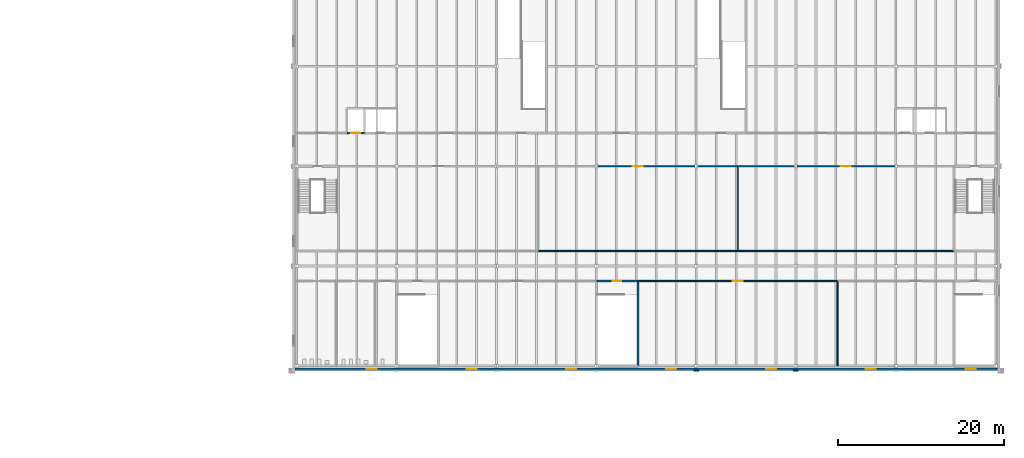
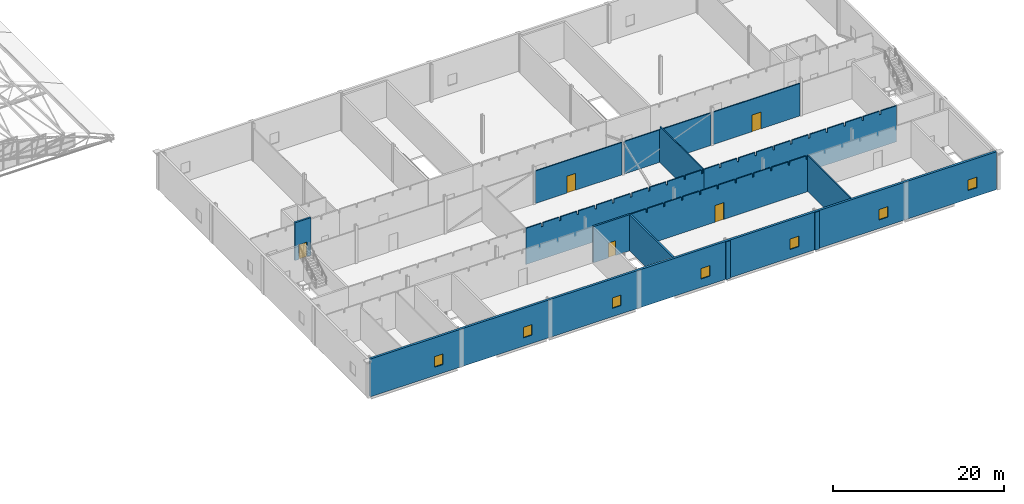
# One storey, part 257 of 321: 15 walls, 7 windows, 5 doors, 12 openings.
"""IFC4 building model written with IfcOpenShell, lengths in metres."""

from ifc_helpers import new_model, si_unit, direction, frame, frame_2d, origin, place, context, subcontext, project, spatial, polyline, rectangle, outline, extrude, material, layer, layer_set, type_object, element, fill, save


model = new_model("IFC4")

# Units and contexts
model_context = context("Model", 3, precision=1e-05, world=origin(), true_north=direction((0.0, 1.0)))
body_context = subcontext(model_context, "Body", "Model", "MODEL_VIEW")
ifc_project = project(units=[si_unit("LENGTHUNIT", "METRE"), si_unit("AREAUNIT", "SQUARE_METRE"), si_unit("VOLUMEUNIT", "CUBIC_METRE"), si_unit("PLANEANGLEUNIT", "RADIAN"), si_unit("MASSUNIT", "GRAM", prefix="KILO")], contexts=[model_context])

# Site, building, storey
site_placement = place(None, origin())
site = spatial("IfcSite", under=ifc_project, at=site_placement, CompositionType="ELEMENT")
building_placement = place(site_placement, origin())
building = spatial("IfcBuilding", under=site, at=building_placement, Name="Ravi Spectrum Wholesale Market", CompositionType="ELEMENT")
storey_placement = place(building_placement, frame((0.0, 0.0, 10.800048828125)))
storey = spatial("IfcBuildingStorey", under=building, at=storey_placement, Name="L02", CompositionType="ELEMENT", Elevation=10.800048828125)

# Wall, openings, windows
ifc_material_1 = material(Name="Brick-faced insulated panel", Category="masonry")
ifc_layer_1 = layer(ifc_material_1, 0.300048828125)
ifc_layer_set_1 = layer_set([ifc_layer_1], Name="Brick-faced insulated panel")
wall_type_1 = type_object("IfcWallType", Name="Brick faced insulated panel 300", PredefinedType="SOLIDWALL", material=ifc_layer_set_1)
wall_1_placement = place(storey_placement, frame((197.75, 17.60009765625, 0.0), z_axis=(0.0, 0.0, 1.0), x_axis=(1.0, 0.0, 0.0)))
wall_1 = element("IfcWall", 1, at=wall_1_placement, inside=storey, type_object=wall_type_1, Name="CS-WL-L02-047", PredefinedType="SOLIDWALL", context=body_context, shape_type="SweptSolid", body=[
    extrude(rectangle(XDim=84.5, YDim=0.300048828125, at=frame_2d((42.25, 0.0))), origin(), (0.0, 0.0, 1.0), 5.39990234375),
])
opening_1_placement = place(wall_1_placement, frame((8.64990234375, 0.0, 1.199951171875)))
opening_1 = element("IfcOpeningElement", 2, at=opening_1_placement, cuts=wall_1, Name="Opening W2637", PredefinedType="OPENING", context=body_context, shape_type="SweptSolid", body=[
    extrude(rectangle(XDim=1.199951171875, YDim=1.5, at=frame_2d((0.60009765625, 0.75))), frame((0.0, 0.159912109375, 0.0), z_axis=(0.0, -1.0, 0.0), x_axis=(1.0, 0.0, 0.0)), (0.0, 0.0, 1.0), 0.320068359375),
])
opening_2_placement = place(wall_1_placement, frame((20.64990234375, 0.0, 1.199951171875)))
opening_2 = element("IfcOpeningElement", 3, at=opening_2_placement, cuts=wall_1, Name="Opening W2638", PredefinedType="OPENING", context=body_context, shape_type="SweptSolid", body=[
    extrude(rectangle(XDim=1.199951171875, YDim=1.5, at=frame_2d((0.60009765625, 0.75))), frame((0.0, 0.159912109375, 0.0), z_axis=(0.0, -1.0, 0.0), x_axis=(1.0, 0.0, 0.0)), (0.0, 0.0, 1.0), 0.320068359375),
])
opening_3_placement = place(wall_1_placement, frame((32.64990234375, 0.0, 1.199951171875)))
opening_3 = element("IfcOpeningElement", 4, at=opening_3_placement, cuts=wall_1, Name="Opening W2639", PredefinedType="OPENING", context=body_context, shape_type="SweptSolid", body=[
    extrude(rectangle(XDim=1.199951171875, YDim=1.5, at=frame_2d((0.60009765625, 0.75))), frame((0.0, 0.159912109375, 0.0), z_axis=(0.0, -1.0, 0.0), x_axis=(1.0, 0.0, 0.0)), (0.0, 0.0, 1.0), 0.320068359375),
])
opening_4_placement = place(wall_1_placement, frame((44.64990234375, 0.0, 1.199951171875)))
opening_4 = element("IfcOpeningElement", 5, at=opening_4_placement, cuts=wall_1, Name="Opening W2640", PredefinedType="OPENING", context=body_context, shape_type="SweptSolid", body=[
    extrude(rectangle(XDim=1.199951171875, YDim=1.5, at=frame_2d((0.60009765625, 0.75))), frame((0.0, 0.159912109375, 0.0), z_axis=(0.0, -1.0, 0.0), x_axis=(1.0, 0.0, 0.0)), (0.0, 0.0, 1.0), 0.320068359375),
])
opening_5_placement = place(wall_1_placement, frame((56.64990234375, 0.0, 1.199951171875)))
opening_5 = element("IfcOpeningElement", 6, at=opening_5_placement, cuts=wall_1, Name="Opening W2641", PredefinedType="OPENING", context=body_context, shape_type="SweptSolid", body=[
    extrude(rectangle(XDim=1.199951171875, YDim=1.5, at=frame_2d((0.60009765625, 0.75))), frame((0.0, 0.159912109375, 0.0), z_axis=(0.0, -1.0, 0.0), x_axis=(1.0, 0.0, 0.0)), (0.0, 0.0, 1.0), 0.320068359375),
])
opening_6_placement = place(wall_1_placement, frame((68.64990234375, 0.0, 1.199951171875)))
opening_6 = element("IfcOpeningElement", 7, at=opening_6_placement, cuts=wall_1, Name="Opening W2642", PredefinedType="OPENING", context=body_context, shape_type="SweptSolid", body=[
    extrude(rectangle(XDim=1.199951171875, YDim=1.5, at=frame_2d((0.60009765625, 0.75))), frame((0.0, 0.159912109375, 0.0), z_axis=(0.0, -1.0, 0.0), x_axis=(1.0, 0.0, 0.0)), (0.0, 0.0, 1.0), 0.320068359375),
])
opening_7_placement = place(wall_1_placement, frame((80.64990234375, 0.0, 1.199951171875)))
opening_7 = element("IfcOpeningElement", 8, at=opening_7_placement, cuts=wall_1, Name="Opening W2643", PredefinedType="OPENING", context=body_context, shape_type="SweptSolid", body=[
    extrude(rectangle(XDim=1.199951171875, YDim=1.5, at=frame_2d((0.60009765625, 0.75))), frame((0.0, 0.159912109375, 0.0), z_axis=(0.0, -1.0, 0.0), x_axis=(1.0, 0.0, 0.0)), (0.0, 0.0, 1.0), 0.320068359375),
])
ifc_material_2 = material(Name="Aluminium frame", Category="aluminium")
window_type = type_object("IfcWindowType", Name="Plant room louvred window 1200 x 1500", PartitioningType="SINGLE_PANEL", PredefinedType="WINDOW", material=ifc_material_2)
window_1_placement = place(opening_1_placement, origin())
window_1 = element("IfcWindow", 9, at=window_1_placement, inside=storey, type_object=window_type, Name="Window W2637", OverallHeight=1.5, OverallWidth=1.199951171875, PartitioningType="SINGLE_PANEL", PredefinedType="WINDOW", context=body_context, shape_type="SweptSolid", body=[
    extrude(rectangle(XDim=1.199951171875, YDim=1.5, at=frame_2d((0.60009765625, 0.75))), frame((0.0, 0.030029296875, 0.0), z_axis=(0.0, -1.0, 0.0), x_axis=(1.0, 0.0, 0.0)), (0.0, 0.0, 1.0), 0.06005859375),
])
fill(opening_1, window_1)
window_2_placement = place(opening_2_placement, origin())
window_2 = element("IfcWindow", 10, at=window_2_placement, inside=storey, type_object=window_type, Name="Window W2638", OverallHeight=1.5, OverallWidth=1.199951171875, PartitioningType="SINGLE_PANEL", PredefinedType="WINDOW", context=body_context, shape_type="SweptSolid", body=[
    extrude(rectangle(XDim=1.199951171875, YDim=1.5, at=frame_2d((0.60009765625, 0.75))), frame((0.0, 0.030029296875, 0.0), z_axis=(0.0, -1.0, 0.0), x_axis=(1.0, 0.0, 0.0)), (0.0, 0.0, 1.0), 0.06005859375),
])
fill(opening_2, window_2)
window_3_placement = place(opening_3_placement, origin())
window_3 = element("IfcWindow", 11, at=window_3_placement, inside=storey, type_object=window_type, Name="Window W2639", OverallHeight=1.5, OverallWidth=1.199951171875, PartitioningType="SINGLE_PANEL", PredefinedType="WINDOW", context=body_context, shape_type="SweptSolid", body=[
    extrude(rectangle(XDim=1.199951171875, YDim=1.5, at=frame_2d((0.60009765625, 0.75))), frame((0.0, 0.030029296875, 0.0), z_axis=(0.0, -1.0, 0.0), x_axis=(1.0, 0.0, 0.0)), (0.0, 0.0, 1.0), 0.06005859375),
])
fill(opening_3, window_3)
window_4_placement = place(opening_4_placement, origin())
window_4 = element("IfcWindow", 12, at=window_4_placement, inside=storey, type_object=window_type, Name="Window W2640", OverallHeight=1.5, OverallWidth=1.199951171875, PartitioningType="SINGLE_PANEL", PredefinedType="WINDOW", context=body_context, shape_type="SweptSolid", body=[
    extrude(rectangle(XDim=1.199951171875, YDim=1.5, at=frame_2d((0.60009765625, 0.75))), frame((0.0, 0.030029296875, 0.0), z_axis=(0.0, -1.0, 0.0), x_axis=(1.0, 0.0, 0.0)), (0.0, 0.0, 1.0), 0.06005859375),
])
fill(opening_4, window_4)
window_5_placement = place(opening_5_placement, origin())
window_5 = element("IfcWindow", 13, at=window_5_placement, inside=storey, type_object=window_type, Name="Window W2641", OverallHeight=1.5, OverallWidth=1.199951171875, PartitioningType="SINGLE_PANEL", PredefinedType="WINDOW", context=body_context, shape_type="SweptSolid", body=[
    extrude(rectangle(XDim=1.199951171875, YDim=1.5, at=frame_2d((0.60009765625, 0.75))), frame((0.0, 0.030029296875, 0.0), z_axis=(0.0, -1.0, 0.0), x_axis=(1.0, 0.0, 0.0)), (0.0, 0.0, 1.0), 0.06005859375),
])
fill(opening_5, window_5)
window_6_placement = place(opening_6_placement, origin())
window_6 = element("IfcWindow", 14, at=window_6_placement, inside=storey, type_object=window_type, Name="Window W2642", OverallHeight=1.5, OverallWidth=1.199951171875, PartitioningType="SINGLE_PANEL", PredefinedType="WINDOW", context=body_context, shape_type="SweptSolid", body=[
    extrude(rectangle(XDim=1.199951171875, YDim=1.5, at=frame_2d((0.60009765625, 0.75))), frame((0.0, 0.030029296875, 0.0), z_axis=(0.0, -1.0, 0.0), x_axis=(1.0, 0.0, 0.0)), (0.0, 0.0, 1.0), 0.06005859375),
])
fill(opening_6, window_6)
window_7_placement = place(opening_7_placement, origin())
window_7 = element("IfcWindow", 15, at=window_7_placement, inside=storey, type_object=window_type, Name="Window W2643", OverallHeight=1.5, OverallWidth=1.199951171875, PartitioningType="SINGLE_PANEL", PredefinedType="WINDOW", context=body_context, shape_type="SweptSolid", body=[
    extrude(rectangle(XDim=1.199951171875, YDim=1.5, at=frame_2d((0.60009765625, 0.75))), frame((0.0, 0.030029296875, 0.0), z_axis=(0.0, -1.0, 0.0), x_axis=(1.0, 0.0, 0.0)), (0.0, 0.0, 1.0), 0.06005859375),
])
fill(opening_7, window_7)

# Walls
ifc_material_3 = material(Name="Facing brickwork", Category="masonry")
ifc_layer_2 = layer(ifc_material_3, 0.114990234375)
ifc_layer_set_2 = layer_set([ifc_layer_2], Name="Facing brickwork")
wall_type_2 = type_object("IfcWallType", Name="Brick pilaster 115", PredefinedType="SOLIDWALL", material=ifc_layer_set_2)
for number, where, z_axis, x_axis, name in (
    (16, (245.699951171875, 17.392578125, 0.0), (0.0, 0.0, 1.0), (1.0, 0.0, 0.0), "CS-WL-L02-051"),
    (17, (257.699951171875, 17.392578125, 0.0), (0.0, 0.0, 1.0), (1.0, 0.0, 0.0), "CS-WL-L02-052"),
):
    element("IfcWall", number, at=place(storey_placement, frame(where, z_axis=z_axis, x_axis=x_axis)), inside=storey, type_object=wall_type_2, Name=name, PredefinedType="SOLIDWALL", context=body_context, shape_type="SweptSolid", body=[
        extrude(rectangle(XDim=0.60009765625, YDim=0.114990234375, at=frame_2d((0.300048828125, 0.0))), origin(), (0.0, 0.0, 1.0), 5.39990234375),
    ])

# Wall, opening, door
ifc_material_4 = material(Name="Insulated panel")
ifc_layer_3 = layer(ifc_material_4, 0.14990234375)
ifc_layer_set_3 = layer_set([ifc_layer_3], Name="Insulated panel")
wall_type_3 = type_object("IfcWallType", Name="Cold store panel 150", PredefinedType="PARTITIONING", material=ifc_layer_set_3)
wall_2_placement = place(storey_placement, frame((239.0, 28.199951171875, 0.0), z_axis=(0.0, 0.0, 1.0), x_axis=(1.0, 0.0, 0.0)))
wall_2 = element("IfcWall", 18, at=wall_2_placement, inside=storey, type_object=wall_type_3, Name="CS-WL-L02-073", PredefinedType="PARTITIONING", context=body_context, shape_type="SweptSolid", body=[
    extrude(outline(polyline([(0.0, 0.0), (24.0, 0.0), (24.0, 5.14990234375), (23.905029296875, 5.14990234375), (23.89990234375, 4.6298828125), (23.699951171875, 4.6298828125), (23.695068359375, 5.14990234375), (21.5048828125, 5.14990234375), (21.5, 4.6298828125), (21.300048828125, 4.6298828125), (21.294921875, 5.14990234375), (19.10009765625, 5.14990234375), (19.094970703125, 4.679931640625), (18.905029296875, 4.679931640625), (18.89990234375, 5.14990234375), (16.705078125, 5.14990234375), (16.699951171875, 4.6298828125), (16.5, 4.6298828125), (16.4951171875, 5.14990234375), (14.304931640625, 5.14990234375), (14.300048828125, 4.6298828125), (14.10009765625, 4.6298828125), (14.094970703125, 5.14990234375), (11.905029296875, 5.14990234375), (11.89990234375, 4.6298828125), (11.699951171875, 4.6298828125), (11.695068359375, 5.14990234375), (9.5048828125, 5.14990234375), (9.5, 4.6298828125), (9.300048828125, 4.6298828125), (9.294921875, 5.14990234375), (7.10009765625, 5.14990234375), (7.094970703125, 4.679931640625), (6.905029296875, 4.679931640625), (6.89990234375, 5.14990234375), (4.705078125, 5.14990234375), (4.699951171875, 4.6298828125), (4.5, 4.6298828125), (4.4951171875, 5.14990234375), (2.304931640625, 5.14990234375), (2.300048828125, 4.6298828125), (2.10009765625, 4.6298828125), (2.094970703125, 5.14990234375), (0.0, 5.14990234375), (0.0, 0.0)])), frame((0.0, 0.074951171875, 0.0), z_axis=(0.0, -1.0, 0.0), x_axis=(1.0, 0.0, 0.0)), (0.0, 0.0, 1.0), 0.14990234375),
])
opening_8_placement = place(wall_2_placement, frame((11.39990234375, 0.0, 0.0)))
opening_8 = element("IfcOpeningElement", 19, at=opening_8_placement, cuts=wall_2, Name="Opening D533", PredefinedType="OPENING", context=body_context, shape_type="SweptSolid", body=[
    extrude(rectangle(XDim=1.199951171875, YDim=2.39990234375, at=frame_2d((0.60009765625, 1.199951171875))), frame((0.0, 0.0849609375, 0.0), z_axis=(0.0, -1.0, 0.0), x_axis=(1.0, 0.0, 0.0)), (0.0, 0.0, 1.0), 0.169921875),
])
ifc_material_5 = material(Name="Insulated panel door")
door_type_1 = type_object("IfcDoorType", Name="Cold store insulated door 1200 x 2400", OperationType="SINGLE_SWING_LEFT", PredefinedType="DOOR", material=ifc_material_5)
door_1_placement = place(opening_8_placement, origin())
door_1 = element("IfcDoor", 20, at=door_1_placement, inside=storey, type_object=door_type_1, Name="Door D533", OperationType="SINGLE_SWING_RIGHT", OverallHeight=2.39990234375, OverallWidth=1.199951171875, PredefinedType="DOOR", context=body_context, shape_type="SweptSolid", body=[
    extrude(rectangle(XDim=1.199951171875, YDim=2.39990234375, at=frame_2d((0.60009765625, 1.199951171875))), frame((0.0, 0.02490234375, 0.0), z_axis=(0.0, -1.0, 0.0), x_axis=(1.0, 0.0, 0.0)), (0.0, 0.0, 1.0), 0.050048828125),
])
fill(opening_8, door_1)

# Walls
wall_3_placement = place(storey_placement, frame((227.0, 31.800048828125, 0.0), z_axis=(0.0, 0.0, 1.0), x_axis=(1.0, 0.0, 0.0)))
element("IfcWall", 21, at=wall_3_placement, inside=storey, type_object=wall_type_3, Name="CS-WL-L02-076", PredefinedType="PARTITIONING", context=body_context, shape_type="SweptSolid", body=[
    extrude(outline(polyline([(0.0, 0.0), (24.0, 0.0), (24.0, 5.14990234375), (23.905029296875, 5.14990234375), (23.89990234375, 4.6298828125), (23.699951171875, 4.6298828125), (23.695068359375, 5.14990234375), (21.5048828125, 5.14990234375), (21.5, 4.6298828125), (21.300048828125, 4.6298828125), (21.294921875, 5.14990234375), (19.10009765625, 5.14990234375), (19.094970703125, 4.679931640625), (18.905029296875, 4.679931640625), (18.89990234375, 5.14990234375), (16.705078125, 5.14990234375), (16.699951171875, 4.6298828125), (16.5, 4.6298828125), (16.4951171875, 5.14990234375), (14.304931640625, 5.14990234375), (14.300048828125, 4.6298828125), (14.10009765625, 4.6298828125), (14.094970703125, 5.14990234375), (11.905029296875, 5.14990234375), (11.89990234375, 4.6298828125), (11.699951171875, 4.6298828125), (11.695068359375, 5.14990234375), (9.5048828125, 5.14990234375), (9.5, 4.6298828125), (9.300048828125, 4.6298828125), (9.294921875, 5.14990234375), (7.10009765625, 5.14990234375), (7.094970703125, 4.679931640625), (6.905029296875, 4.679931640625), (6.89990234375, 5.14990234375), (4.705078125, 5.14990234375), (4.699951171875, 4.6298828125), (4.5, 4.6298828125), (4.4951171875, 5.14990234375), (2.304931640625, 5.14990234375), (2.300048828125, 4.6298828125), (2.10009765625, 4.6298828125), (2.094970703125, 5.14990234375), (0.0, 5.14990234375), (0.0, 0.0)])), frame((0.0, 0.074951171875, 0.0), z_axis=(0.0, -1.0, 0.0), x_axis=(1.0, 0.0, 0.0)), (0.0, 0.0, 1.0), 0.14990234375),
])
wall_4_placement = place(storey_placement, frame((251.0, 31.800048828125, 0.0), z_axis=(0.0, 0.0, 1.0), x_axis=(1.0, 0.0, 0.0)))
element("IfcWall", 22, at=wall_4_placement, inside=storey, type_object=wall_type_3, Name="CS-WL-L02-077", PredefinedType="PARTITIONING", context=body_context, shape_type="SweptSolid", body=[
    extrude(outline(polyline([(0.0, 0.0), (26.0, 0.0), (26.0, 5.14990234375), (23.905029296875, 5.14990234375), (23.89990234375, 4.6298828125), (23.699951171875, 4.6298828125), (23.695068359375, 5.14990234375), (21.5048828125, 5.14990234375), (21.5, 4.6298828125), (21.300048828125, 4.6298828125), (21.294921875, 5.14990234375), (19.10009765625, 5.14990234375), (19.094970703125, 4.679931640625), (18.905029296875, 4.679931640625), (18.89990234375, 5.14990234375), (16.705078125, 5.14990234375), (16.699951171875, 4.6298828125), (16.5, 4.6298828125), (16.4951171875, 5.14990234375), (14.304931640625, 5.14990234375), (14.300048828125, 4.6298828125), (14.10009765625, 4.6298828125), (14.094970703125, 5.14990234375), (11.905029296875, 5.14990234375), (11.89990234375, 4.6298828125), (11.699951171875, 4.6298828125), (11.695068359375, 5.14990234375), (9.5048828125, 5.14990234375), (9.5, 4.6298828125), (9.300048828125, 4.6298828125), (9.294921875, 5.14990234375), (7.10009765625, 5.14990234375), (7.094970703125, 4.679931640625), (6.905029296875, 4.679931640625), (6.89990234375, 5.14990234375), (4.705078125, 5.14990234375), (4.699951171875, 4.6298828125), (4.5, 4.6298828125), (4.4951171875, 5.14990234375), (2.304931640625, 5.14990234375), (2.300048828125, 4.6298828125), (2.10009765625, 4.6298828125), (2.094970703125, 5.14990234375), (0.0, 5.14990234375), (0.0, 0.0)])), frame((0.0, 0.074951171875, 0.0), z_axis=(0.0, -1.0, 0.0), x_axis=(1.0, 0.0, 0.0)), (0.0, 0.0, 1.0), 0.14990234375),
])

# Wall, opening, door
wall_5_placement = place(storey_placement, frame((234.14990234375, 42.0, 0.0), z_axis=(0.0, 0.0, 1.0), x_axis=(1.0, 0.0, 0.0)))
wall_5 = element("IfcWall", 23, at=wall_5_placement, inside=storey, type_object=wall_type_3, Name="CS-WL-L02-082", PredefinedType="PARTITIONING", context=body_context, shape_type="SweptSolid", body=[
    extrude(rectangle(XDim=11.7001953125, YDim=0.14990234375, at=frame_2d((5.85009765625, 0.0))), origin(), (0.0, 0.0, 1.0), 4.6298828125),
])
opening_9_placement = place(wall_5_placement, frame((4.25, 0.0, 0.0)))
opening_9 = element("IfcOpeningElement", 24, at=opening_9_placement, cuts=wall_5, Name="Opening D536", PredefinedType="OPENING", context=body_context, shape_type="SweptSolid", body=[
    extrude(rectangle(XDim=1.199951171875, YDim=2.39990234375, at=frame_2d((0.60009765625, 1.199951171875))), frame((0.0, 0.0849609375, 0.0), z_axis=(0.0, -1.0, 0.0), x_axis=(1.0, 0.0, 0.0)), (0.0, 0.0, 1.0), 0.169921875),
])
door_2_placement = place(opening_9_placement, origin())
door_2 = element("IfcDoor", 25, at=door_2_placement, inside=storey, type_object=door_type_1, Name="Door D536", OperationType="SINGLE_SWING_LEFT", OverallHeight=2.39990234375, OverallWidth=1.199951171875, PredefinedType="DOOR", context=body_context, shape_type="SweptSolid", body=[
    extrude(rectangle(XDim=1.199951171875, YDim=2.39990234375, at=frame_2d((0.60009765625, 1.199951171875))), frame((0.0, 0.02490234375, 0.0), z_axis=(0.0, -1.0, 0.0), x_axis=(1.0, 0.0, 0.0)), (0.0, 0.0, 1.0), 0.050048828125),
])
fill(opening_9, door_2)

# Walls
wall_6_placement = place(storey_placement, frame((246.14990234375, 42.0, 0.0), z_axis=(0.0, 0.0, 1.0), x_axis=(1.0, 0.0, 0.0)))
element("IfcWall", 26, at=wall_6_placement, inside=storey, type_object=wall_type_3, Name="CS-WL-L02-083", PredefinedType="PARTITIONING", context=body_context, shape_type="SweptSolid", body=[
    extrude(rectangle(XDim=4.85009765625, YDim=0.14990234375, at=frame_2d((2.425048828125, 0.0))), origin(), (0.0, 0.0, 1.0), 4.6298828125),
])
wall_7_placement = place(storey_placement, frame((251.0, 42.0, 0.0), z_axis=(0.0, 0.0, 1.0), x_axis=(1.0, 0.0, 0.0)))
element("IfcWall", 27, at=wall_7_placement, inside=storey, type_object=wall_type_3, Name="CS-WL-L02-084", PredefinedType="PARTITIONING", context=body_context, shape_type="SweptSolid", body=[
    extrude(rectangle(XDim=6.85009765625, YDim=0.14990234375, at=frame_2d((3.425048828125, 0.0))), origin(), (0.0, 0.0, 1.0), 4.6298828125),
])

# Wall, opening, door
wall_8_placement = place(storey_placement, frame((258.14990234375, 42.0, 0.0), z_axis=(0.0, 0.0, 1.0), x_axis=(1.0, 0.0, 0.0)))
wall_8 = element("IfcWall", 28, at=wall_8_placement, inside=storey, type_object=wall_type_3, Name="CS-WL-L02-085", PredefinedType="PARTITIONING", context=body_context, shape_type="SweptSolid", body=[
    extrude(rectangle(XDim=11.7001953125, YDim=0.14990234375, at=frame_2d((5.85009765625, 0.0))), origin(), (0.0, 0.0, 1.0), 4.6298828125),
])
opening_10_placement = place(wall_8_placement, frame((5.25, 0.0, 0.0)))
opening_10 = element("IfcOpeningElement", 29, at=opening_10_placement, cuts=wall_8, Name="Opening D537", PredefinedType="OPENING", context=body_context, shape_type="SweptSolid", body=[
    extrude(rectangle(XDim=1.199951171875, YDim=2.39990234375, at=frame_2d((0.60009765625, 1.199951171875))), frame((0.0, 0.0849609375, 0.0), z_axis=(0.0, -1.0, 0.0), x_axis=(1.0, 0.0, 0.0)), (0.0, 0.0, 1.0), 0.169921875),
])
door_3_placement = place(opening_10_placement, origin())
door_3 = element("IfcDoor", 30, at=door_3_placement, inside=storey, type_object=door_type_1, Name="Door D537", OperationType="SINGLE_SWING_LEFT", OverallHeight=2.39990234375, OverallWidth=1.199951171875, PredefinedType="DOOR", context=body_context, shape_type="SweptSolid", body=[
    extrude(rectangle(XDim=1.199951171875, YDim=2.39990234375, at=frame_2d((0.60009765625, 1.199951171875))), frame((0.0, 0.02490234375, 0.0), z_axis=(0.0, -1.0, 0.0), x_axis=(1.0, 0.0, 0.0)), (0.0, 0.0, 1.0), 0.050048828125),
])
fill(opening_10, door_3)

# Walls
wall_9_placement = place(storey_placement, frame((251.0, 31.875, 0.0), z_axis=(0.0, 0.0, 1.0), x_axis=(0.0, 1.0, 0.0)))
element("IfcWall", 31, at=wall_9_placement, inside=storey, type_object=wall_type_3, Name="CS-WL-L02-102", PredefinedType="PARTITIONING", context=body_context, shape_type="SweptSolid", body=[
    extrude(outline(polyline([(0.0, 0.0), (10.050048828125, 0.0), (10.050048828125, 4.6298828125), (10.02490234375, 4.6298828125), (10.02001953125, 5.14990234375), (0.0, 5.14990234375), (0.0, 0.0)])), frame((0.0, 0.074951171875, 0.0), z_axis=(0.0, -1.0, 0.0), x_axis=(1.0, 0.0, 0.0)), (0.0, 0.0, 1.0), 0.14990234375),
])
wall_10_placement = place(storey_placement, frame((263.0, 18.0, 0.0), z_axis=(0.0, 0.0, 1.0), x_axis=(0.0, 1.0, 0.0)))
element("IfcWall", 32, at=wall_10_placement, inside=storey, type_object=wall_type_3, Name="CS-WL-L02-103", PredefinedType="PARTITIONING", context=body_context, shape_type="SweptSolid", body=[
    extrude(outline(polyline([(0.0, 0.0), (10.125, 0.0), (10.125, 5.14990234375), (0.10498046875, 5.14990234375), (0.10009765625, 4.6298828125), (0.0, 4.6298828125), (0.0, 0.0)])), frame((0.0, 0.074951171875, 0.0), z_axis=(0.0, -1.0, 0.0), x_axis=(1.0, 0.0, 0.0)), (0.0, 0.0, 1.0), 0.14990234375),
])
ifc_material_6 = material(Name="Concrete C35/45", Category="concrete")
ifc_layer_4 = layer(ifc_material_6, 0.25)
ifc_layer_set_4 = layer_set([ifc_layer_4], Name="Concrete C35/45")
wall_type_4 = type_object("IfcWallType", Name="Concrete core wall 250", PredefinedType="SHEAR", material=ifc_layer_set_4)
wall_11_placement = place(storey_placement, frame((239.0, 18.0, 0.0), z_axis=(0.0, 0.0, 1.0), x_axis=(0.0, 1.0, 0.0)))
element("IfcWall", 33, at=wall_11_placement, inside=storey, type_object=wall_type_4, Name="Stair core wall Stair S-CS-4", PredefinedType="SHEAR", context=body_context, shape_type="SweptSolid", body=[
    extrude(rectangle(XDim=10.199951171875, YDim=0.25, at=frame_2d((5.10009765625, 0.0))), origin(), (0.0, 0.0, 1.0), 5.14990234375),
])

# Wall, opening, door
wall_12_placement = place(storey_placement, frame((234.0, 28.199951171875, 0.0), z_axis=(0.0, 0.0, 1.0), x_axis=(1.0, 0.0, 0.0)))
wall_12 = element("IfcWall", 34, at=wall_12_placement, inside=storey, type_object=wall_type_4, Name="Stair core wall Stair S-CS-4", PredefinedType="SHEAR", context=body_context, shape_type="SweptSolid", body=[
    extrude(rectangle(XDim=5.0, YDim=0.25, at=frame_2d((2.5, 0.0))), origin(), (0.0, 0.0, 1.0), 5.14990234375),
])
opening_11_placement = place(wall_12_placement, frame((2.0, 0.0, 0.0)))
opening_11 = element("IfcOpeningElement", 35, at=opening_11_placement, cuts=wall_12, Name="Opening D524", PredefinedType="OPENING", context=body_context, shape_type="SweptSolid", body=[
    extrude(rectangle(XDim=1.0, YDim=2.10009765625, at=frame_2d((0.5, 1.050048828125))), frame((0.0, 0.135009765625, 0.0), z_axis=(0.0, -1.0, 0.0), x_axis=(1.0, 0.0, 0.0)), (0.0, 0.0, 1.0), 0.27001953125),
])
ifc_material_7 = material(Name="Steel door", Category="steel")
door_type_2 = type_object("IfcDoorType", Name="Stair door 1000 x 2100", OperationType="SINGLE_SWING_LEFT", PredefinedType="DOOR", material=ifc_material_7)
door_4_placement = place(opening_11_placement, origin())
door_4 = element("IfcDoor", 36, at=door_4_placement, inside=storey, type_object=door_type_2, Name="Door D524", OperationType="SINGLE_SWING_RIGHT", OverallHeight=2.10009765625, OverallWidth=1.0, PredefinedType="DOOR", context=body_context, shape_type="SweptSolid", body=[
    extrude(rectangle(XDim=1.0, YDim=2.10009765625, at=frame_2d((0.5, 1.050048828125))), frame((0.0, 0.02490234375, 0.0), z_axis=(0.0, -1.0, 0.0), x_axis=(1.0, 0.0, 0.0)), (0.0, 0.0, 1.0), 0.050048828125),
])
fill(opening_11, door_4)

ifc_material_8 = material(Name="Concrete C35/45", Category="concrete")
ifc_layer_5 = layer(ifc_material_8, 0.25)
ifc_layer_set_5 = layer_set([ifc_layer_5], Name="Concrete C35/45")
wall_type_5 = type_object("IfcWallType", Name="Shaft wall 250", PredefinedType="SHEAR", material=ifc_layer_set_5)
wall_13_placement = place(storey_placement, frame((204.0, 46.0, 0.0), z_axis=(0.0, 0.0, 1.0), x_axis=(1.0, 0.0, 0.0)))
wall_13 = element("IfcWall", 37, at=wall_13_placement, inside=storey, type_object=wall_type_5, Name="CS-WL-L02-LF-CS-1-S", PredefinedType="SHEAR", context=body_context, shape_type="SweptSolid", body=[
    extrude(rectangle(XDim=2.14990234375, YDim=0.25, at=frame_2d((1.074951171875, 0.0))), origin(), (0.0, 0.0, 1.0), 5.39990234375),
])
opening_12_placement = place(wall_13_placement, frame((0.52490234375, 0.0, 0.0)))
opening_12 = element("IfcOpeningElement", 38, at=opening_12_placement, cuts=wall_13, Name="Opening D527", PredefinedType="OPENING", context=body_context, shape_type="SweptSolid", body=[
    extrude(rectangle(XDim=1.10009765625, YDim=2.10009765625, at=frame_2d((0.550048828125, 1.050048828125))), frame((0.0, 0.135009765625, 0.0), z_axis=(0.0, -1.0, 0.0), x_axis=(1.0, 0.0, 0.0)), (0.0, 0.0, 1.0), 0.27001953125),
])
ifc_material_9 = material(Name="Stainless steel door", Category="steel")
door_type_3 = type_object("IfcDoorType", Name="Lift landing door 1100 x 2100", OperationType="SLIDING_TO_LEFT", PredefinedType="DOOR", material=ifc_material_9)
door_5_placement = place(opening_12_placement, origin())
door_5 = element("IfcDoor", 39, at=door_5_placement, inside=storey, type_object=door_type_3, Name="Landing door LF-CS-1 L02", OperationType="SLIDING_TO_LEFT", OverallHeight=2.10009765625, OverallWidth=1.10009765625, PredefinedType="DOOR", context=body_context, shape_type="SweptSolid", body=[
    extrude(rectangle(XDim=1.10009765625, YDim=2.10009765625, at=frame_2d((0.550048828125, 1.050048828125))), frame((0.0, 0.02490234375, 0.0), z_axis=(0.0, -1.0, 0.0), x_axis=(1.0, 0.0, 0.0)), (0.0, 0.0, 1.0), 0.050048828125),
])
fill(opening_12, door_5)

save(model, "model.ifc")
